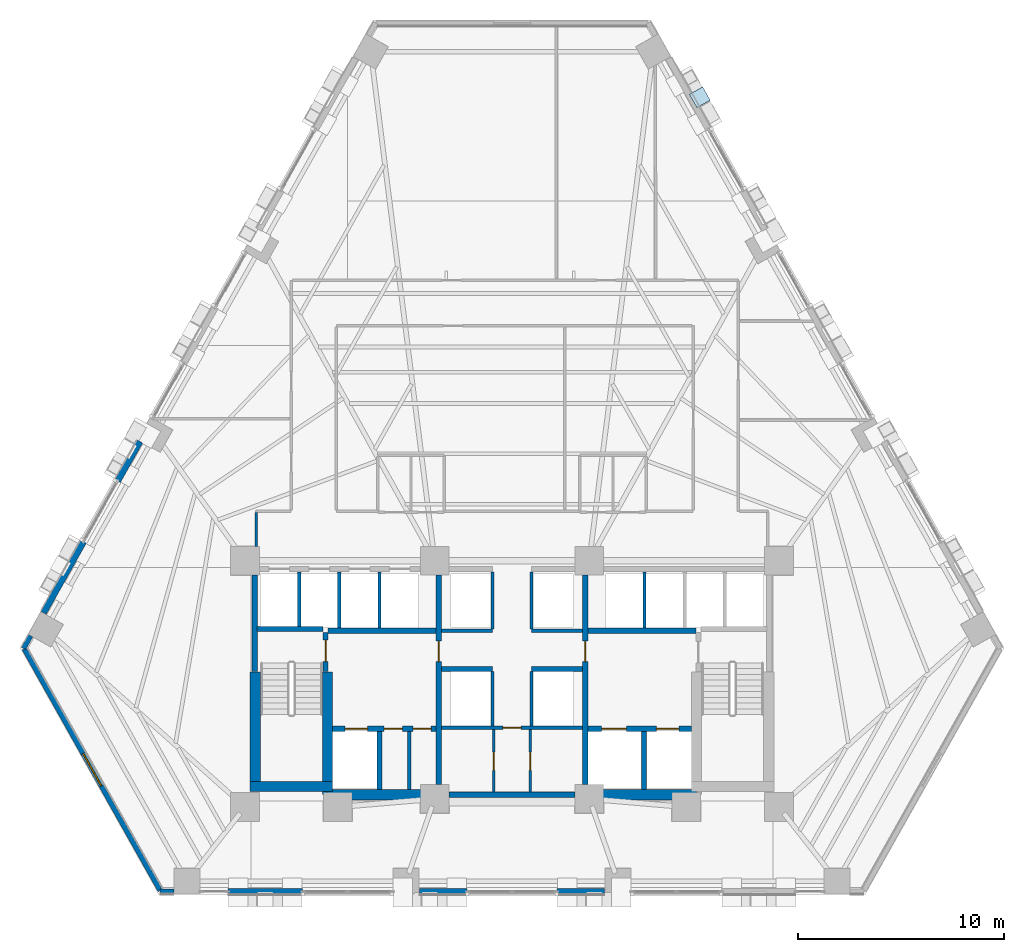
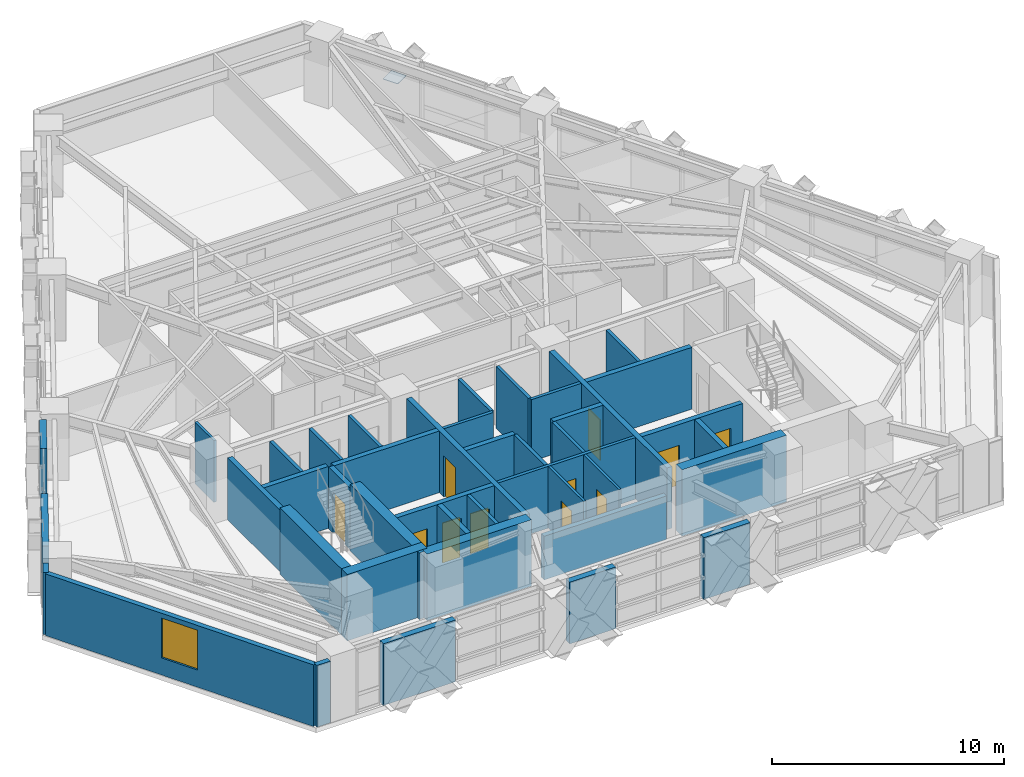
# One storey, part 7 of 13: 42 walls, 11 doors, 1 plate, 1 window, 12 openings.
"""IFC4 building model written with IfcOpenShell, lengths in metres."""

from ifc_helpers import new_model, si_unit, direction, frame, frame_2d, origin, origin_2d, place, context, subcontext, project, spatial, rectangle, extrude, material, layer, layer_set, type_object, element, fill, save


model = new_model("IFC4")

# Units and contexts
model_context = context("Model", 3, precision=1e-05, world=origin(), true_north=direction((0.0, 1.0)))
body_context = subcontext(model_context, "Body", "Model", "MODEL_VIEW")
ifc_project = project(units=[si_unit("LENGTHUNIT", "METRE"), si_unit("AREAUNIT", "SQUARE_METRE"), si_unit("VOLUMEUNIT", "CUBIC_METRE"), si_unit("PLANEANGLEUNIT", "RADIAN"), si_unit("MASSUNIT", "GRAM", prefix="KILO")], contexts=[model_context])

# Site, building, storey
site_placement = place(None, origin())
site = spatial("IfcSite", under=ifc_project, at=site_placement, CompositionType="ELEMENT")
building_placement = place(site_placement, origin())
building = spatial("IfcBuilding", under=site, at=building_placement, Name="Quenlor Broadcast Tower", CompositionType="ELEMENT")
storey_placement = place(building_placement, frame((0.0, 0.0, 52.10009765625)))
storey = spatial("IfcBuildingStorey", under=building, at=storey_placement, Name="L13", CompositionType="ELEMENT", Elevation=52.10009765625)

# Plate
ifc_material_1 = material(Name="Steel S355", Category="steel")
ifc_layer_1 = layer(ifc_material_1, 0.028076171875)
ifc_layer_set_1 = layer_set([ifc_layer_1], Name="Perimeter Lattice Node Steel S355 Cap Plate 740x740x28")
plate_type = type_object("IfcPlateType", Name="Perimeter Lattice Node Steel S355 Cap Plate 740x740x28", PredefinedType="USERDEFINED", material=ifc_layer_set_1)
plate_placement = place(storey_placement, frame((9.111083984375, 17.681640625, 1.61572265625), z_axis=(0.0, 0.0, 1.0), x_axis=(0.490295412055, -0.871556314255, 0.0)))
element("IfcPlate", 1, at=plate_placement, inside=storey, type_object=plate_type, Name="L13 Diamond Lattice Crossing Node NE-C1", ObjectType="CAP PLATE", PredefinedType="USERDEFINED", context=body_context, shape_type="SweptSolid", body=[
    extrude(rectangle(XDim=0.739990234375, YDim=0.739990234375, at=origin_2d()), origin(), (0.0, 0.0, 1.0), 0.028076171875),
])

# Walls
ifc_material_2 = material(Name="Concrete C65/80", Category="concrete")
ifc_layer_2 = layer(ifc_material_2, 0.5)
ifc_layer_set_2 = layer_set([ifc_layer_2], Name="Core Concrete C65/80 Shear Wall 500")
wall_type_1 = type_object("IfcWallType", Name="Core Concrete C65/80 Shear Wall 500", PredefinedType="SHEAR", material=ifc_layer_set_2)
wall_1_placement = place(storey_placement, frame((-12.699951171875, -15.75, 0.0), z_axis=(0.0, 0.0, 1.0), x_axis=(1.0, 0.0, 0.0)))
element("IfcWall", 2, at=wall_1_placement, inside=storey, type_object=wall_type_1, Name="L13 Core Shear Wall WS-W1", PredefinedType="SHEAR", context=body_context, shape_type="SweptSolid", body=[
    extrude(rectangle(XDim=4.0, YDim=0.5, at=frame_2d((2.0, 0.0))), origin(), (0.0, 0.0, 1.0), 3.5),
])
for number, where, z_axis, x_axis, name in (
    (3, (-8.949951171875, -16.14990234375, 0.0), (0.0, 0.0, 1.0), (1.0, 0.0, 0.0), "L13 Core Shear Wall WS-W2"),
    (4, (3.75, -16.14990234375, 0.0), (0.0, 0.0, 1.0), (1.0, 0.0, 0.0), "L13 Core Shear Wall WS-E1"),
):
    element("IfcWall", number, at=place(storey_placement, frame(where, z_axis=z_axis, x_axis=x_axis)), inside=storey, type_object=wall_type_1, Name=name, PredefinedType="SHEAR", context=body_context, shape_type="SweptSolid", body=[
        extrude(rectangle(XDim=5.199951171875, YDim=0.5, at=frame_2d((2.60009765625, 0.0))), origin(), (0.0, 0.0, 1.0), 3.5),
    ])
wall_2_placement = place(storey_placement, frame((-12.449951171875, -15.75, 0.0), z_axis=(0.0, 0.0, 1.0), x_axis=(0.0, 1.0, 0.0)))
element("IfcWall", 5, at=wall_2_placement, inside=storey, type_object=wall_type_1, Name="L13 Core Shear Wall WF-W", PredefinedType="SHEAR", context=body_context, shape_type="SweptSolid", body=[
    extrude(rectangle(XDim=5.550048828125, YDim=0.5, at=frame_2d((2.77490234375, 0.0))), origin(), (0.0, 0.0, 1.0), 3.5),
])
wall_3_placement = place(storey_placement, frame((-8.949951171875, -16.14990234375, 0.0), z_axis=(0.0, 0.0, 1.0), x_axis=(0.0, 1.0, 0.0)))
element("IfcWall", 6, at=wall_3_placement, inside=storey, type_object=wall_type_1, Name="L13 Core Shear Wall WI-W", PredefinedType="SHEAR", context=body_context, shape_type="SweptSolid", body=[
    extrude(rectangle(XDim=5.949951171875, YDim=0.5, at=frame_2d((2.97509765625, 0.0))), origin(), (0.0, 0.0, 1.0), 3.5),
])

# Wall, opening, door
ifc_material_3 = material(Name="Concrete C40/50", Category="concrete")
ifc_layer_3 = layer(ifc_material_3, 0.25)
ifc_layer_set_3 = layer_set([ifc_layer_3], Name="Fire Rated Concrete C40/50 Core Wall 250")
wall_type_2 = type_object("IfcWallType", Name="Fire Rated Concrete C40/50 Core Wall 250", PredefinedType="PARTITIONING", material=ifc_layer_set_3)
wall_4_placement = place(storey_placement, frame((-9.0400390625, -10.179931640625, 0.0), z_axis=(0.0, 0.0, 1.0), x_axis=(0.0, 1.0, 0.0)))
wall_4 = element("IfcWall", 7, at=wall_4_placement, inside=storey, type_object=wall_type_2, Name="L13 Interior Wall CW-ST1-DR", PredefinedType="PARTITIONING", context=body_context, shape_type="SweptSolid", body=[
    extrude(rectangle(XDim=1.89990234375, YDim=0.25, at=frame_2d((0.949951171875, 0.0))), origin(), (0.0, 0.0, 1.0), 3.25),
])
opening_1_placement = place(wall_4_placement, frame((0.47998046875, 0.0, 0.0)))
opening_1 = element("IfcOpeningElement", 8, at=opening_1_placement, cuts=wall_4, Name="Opening FD-1", PredefinedType="OPENING", context=body_context, shape_type="SweptSolid", body=[
    extrude(rectangle(XDim=1.050048828125, YDim=2.14990234375, at=frame_2d((0.52490234375, 1.074951171875))), frame((0.0, 0.135009765625, 0.0), z_axis=(0.0, -1.0, 0.0), x_axis=(1.0, 0.0, 0.0)), (0.0, 0.0, 1.0), 0.27001953125),
])
ifc_material_4 = material(Name="Fire Rated Steel Door Leaf", Category="steel")
door_type_1 = type_object("IfcDoorType", Name="Fire Isolated Stair Door 1050x2150", OperationType="NOTDEFINED", PredefinedType="DOOR", material=ifc_material_4)
door_1_placement = place(opening_1_placement, origin())
door_1 = element("IfcDoor", 9, at=door_1_placement, inside=storey, type_object=door_type_1, Name="L13 Door DR-ST1", OperationType="SINGLE_SWING_LEFT", OverallHeight=2.14990234375, OverallWidth=1.050048828125, PredefinedType="DOOR", context=body_context, shape_type="SweptSolid", body=[
    extrude(rectangle(XDim=1.050048828125, YDim=2.14990234375, at=frame_2d((0.52490234375, 1.074951171875))), frame((0.0, 0.02490234375, 0.0), z_axis=(0.0, -1.0, 0.0), x_axis=(1.0, 0.0, 0.0)), (0.0, 0.0, 1.0), 0.050048828125),
])
fill(opening_1, door_1)

# Walls
wall_5_placement = place(storey_placement, frame((-12.3798828125, -8.1201171875, 0.0), z_axis=(0.0, 0.0, 1.0), x_axis=(1.0, 0.0, 0.0)))
element("IfcWall", 10, at=wall_5_placement, inside=storey, type_object=wall_type_2, Name="L13 Interior Wall CW-ST1-N", PredefinedType="PARTITIONING", context=body_context, shape_type="SweptSolid", body=[
    extrude(rectangle(XDim=3.219970703125, YDim=0.25, at=frame_2d((1.60986328125, 0.0))), origin(), (0.0, 0.0, 1.0), 3.25),
])
wall_6_placement = place(storey_placement, frame((-12.47998046875, -10.179931640625, 0.0), z_axis=(0.0, 0.0, 1.0), x_axis=(0.0, 1.0, 0.0)))
element("IfcWall", 11, at=wall_6_placement, inside=storey, type_object=wall_type_2, Name="L13 Interior Wall CW-ST1-W2", PredefinedType="PARTITIONING", context=body_context, shape_type="SweptSolid", body=[
    extrude(rectangle(XDim=4.677978515625, YDim=0.25, at=frame_2d((2.3388671875, 0.0))), origin(), (0.0, 0.0, 1.0), 3.25),
])

# Wall, openings, doors
wall_7_placement = place(storey_placement, frame((-8.697998046875, -12.949951171875, 0.0), z_axis=(0.0, 0.0, 1.0), x_axis=(1.0, 0.0, 0.0)))
wall_7 = element("IfcWall", 12, at=wall_7_placement, inside=storey, type_object=wall_type_2, Name="L13 Interior Wall CW-FFW-S", PredefinedType="PARTITIONING", context=body_context, shape_type="SweptSolid", body=[
    extrude(rectangle(XDim=5.01806640625, YDim=0.25, at=frame_2d((2.509033203125, 0.0))), origin(), (0.0, 0.0, 1.0), 3.25),
])
opening_2_placement = place(wall_7_placement, frame((0.597900390625, 0.0, 0.0)))
opening_2 = element("IfcOpeningElement", 13, at=opening_2_placement, cuts=wall_7, Name="Opening LD-FFL-1", PredefinedType="OPENING", context=body_context, shape_type="SweptSolid", body=[
    extrude(rectangle(XDim=1.10009765625, YDim=2.14990234375, at=frame_2d((0.550048828125, 1.074951171875))), frame((0.0, 0.135009765625, 0.0), z_axis=(0.0, -1.0, 0.0), x_axis=(1.0, 0.0, 0.0)), (0.0, 0.0, 1.0), 0.27001953125),
])
opening_3_placement = place(wall_7_placement, frame((2.498046875, 0.0, 0.0)))
opening_3 = element("IfcOpeningElement", 14, at=opening_3_placement, cuts=wall_7, Name="Opening TD-1", PredefinedType="OPENING", context=body_context, shape_type="SweptSolid", body=[
    extrude(rectangle(XDim=0.8798828125, YDim=2.10009765625, at=frame_2d((0.43994140625, 1.050048828125))), frame((0.0, 0.135009765625, 0.0), z_axis=(0.0, -1.0, 0.0), x_axis=(1.0, 0.0, 0.0)), (0.0, 0.0, 1.0), 0.27001953125),
])
opening_4_placement = place(wall_7_placement, frame((3.89794921875, 0.0, 0.0)))
opening_4 = element("IfcOpeningElement", 15, at=opening_4_placement, cuts=wall_7, Name="Opening TD-1", PredefinedType="OPENING", context=body_context, shape_type="SweptSolid", body=[
    extrude(rectangle(XDim=0.8798828125, YDim=2.10009765625, at=frame_2d((0.43994140625, 1.050048828125))), frame((0.0, 0.135009765625, 0.0), z_axis=(0.0, -1.0, 0.0), x_axis=(1.0, 0.0, 0.0)), (0.0, 0.0, 1.0), 0.27001953125),
])
ifc_material_5 = material(Name="Brushed Stainless Steel", Category="steel")
door_type_2 = type_object("IfcDoorType", Name="Emergency Lift Sliding Landing Door 1100x2150", OperationType="NOTDEFINED", PredefinedType="DOOR", material=ifc_material_5)
door_2_placement = place(opening_2_placement, origin())
door_2 = element("IfcDoor", 16, at=door_2_placement, inside=storey, type_object=door_type_2, Name="L13 Door LD-FFL-1", OperationType="SLIDING_TO_LEFT", OverallHeight=2.14990234375, OverallWidth=1.10009765625, PredefinedType="DOOR", context=body_context, shape_type="SweptSolid", body=[
    extrude(rectangle(XDim=1.10009765625, YDim=2.14990234375, at=frame_2d((0.550048828125, 1.074951171875))), frame((0.0, 0.02490234375, 0.0), z_axis=(0.0, -1.0, 0.0), x_axis=(1.0, 0.0, 0.0)), (0.0, 0.0, 1.0), 0.050048828125),
])
fill(opening_2, door_2)
ifc_material_6 = material(Name="Fire Rated Steel Access Panel", Category="steel")
door_type_3 = type_object("IfcDoorType", Name="Riser Shaft Rated Access Trapdoor 880x2100", OperationType="NOTDEFINED", PredefinedType="TRAPDOOR", material=ifc_material_6)
door_3_placement = place(opening_3_placement, origin())
door_3 = element("IfcDoor", 17, at=door_3_placement, inside=storey, type_object=door_type_3, Name="L13 Door DR-ELR", OperationType="SINGLE_SWING_LEFT", OverallHeight=2.10009765625, OverallWidth=0.8798828125, PredefinedType="TRAPDOOR", context=body_context, shape_type="SweptSolid", body=[
    extrude(rectangle(XDim=0.8798828125, YDim=2.10009765625, at=frame_2d((0.43994140625, 1.050048828125))), frame((0.0, 0.02490234375, 0.0), z_axis=(0.0, -1.0, 0.0), x_axis=(1.0, 0.0, 0.0)), (0.0, 0.0, 1.0), 0.050048828125),
])
fill(opening_3, door_3)
door_4_placement = place(opening_4_placement, origin())
door_4 = element("IfcDoor", 18, at=door_4_placement, inside=storey, type_object=door_type_3, Name="L13 Door DR-CMR", OperationType="SINGLE_SWING_RIGHT", OverallHeight=2.10009765625, OverallWidth=0.8798828125, PredefinedType="TRAPDOOR", context=body_context, shape_type="SweptSolid", body=[
    extrude(rectangle(XDim=0.8798828125, YDim=2.10009765625, at=frame_2d((0.43994140625, 1.050048828125))), frame((0.0, 0.02490234375, 0.0), z_axis=(0.0, -1.0, 0.0), x_axis=(1.0, 0.0, 0.0)), (0.0, 0.0, 1.0), 0.050048828125),
])
fill(opening_4, door_4)

wall_8_placement = place(storey_placement, frame((3.679931640625, -12.949951171875, 0.0), z_axis=(0.0, 0.0, 1.0), x_axis=(1.0, 0.0, 0.0)))
wall_8 = element("IfcWall", 19, at=wall_8_placement, inside=storey, type_object=wall_type_2, Name="L13 Interior Wall CW-FFE-S", PredefinedType="PARTITIONING", context=body_context, shape_type="SweptSolid", body=[
    extrude(rectangle(XDim=5.01806640625, YDim=0.25, at=frame_2d((2.509033203125, 0.0))), origin(), (0.0, 0.0, 1.0), 3.25),
])
opening_5_placement = place(wall_8_placement, frame((3.320068359375, 0.0, 0.0)))
opening_5 = element("IfcOpeningElement", 20, at=opening_5_placement, cuts=wall_8, Name="Opening LD-FFL-2", PredefinedType="OPENING", context=body_context, shape_type="SweptSolid", body=[
    extrude(rectangle(XDim=1.10009765625, YDim=2.14990234375, at=frame_2d((0.550048828125, 1.074951171875))), frame((0.0, 0.135009765625, 0.0), z_axis=(0.0, -1.0, 0.0), x_axis=(1.0, 0.0, 0.0)), (0.0, 0.0, 1.0), 0.27001953125),
])
opening_6_placement = place(wall_8_placement, frame((0.669921875, 0.0, 0.0)))
opening_6 = element("IfcOpeningElement", 21, at=opening_6_placement, cuts=wall_8, Name="Opening LD-SVL-1", PredefinedType="OPENING", context=body_context, shape_type="SweptSolid", body=[
    extrude(rectangle(XDim=1.199951171875, YDim=2.14990234375, at=frame_2d((0.60009765625, 1.074951171875))), frame((0.0, 0.135009765625, 0.0), z_axis=(0.0, -1.0, 0.0), x_axis=(1.0, 0.0, 0.0)), (0.0, 0.0, 1.0), 0.27001953125),
])
door_5_placement = place(opening_5_placement, origin())
door_5 = element("IfcDoor", 22, at=door_5_placement, inside=storey, type_object=door_type_2, Name="L13 Door LD-FFL-2", OperationType="SLIDING_TO_RIGHT", OverallHeight=2.14990234375, OverallWidth=1.10009765625, PredefinedType="DOOR", context=body_context, shape_type="SweptSolid", body=[
    extrude(rectangle(XDim=1.10009765625, YDim=2.14990234375, at=frame_2d((0.550048828125, 1.074951171875))), frame((0.0, 0.02490234375, 0.0), z_axis=(0.0, -1.0, 0.0), x_axis=(1.0, 0.0, 0.0)), (0.0, 0.0, 1.0), 0.050048828125),
])
fill(opening_5, door_5)
ifc_material_7 = material(Name="Brushed Stainless Steel", Category="steel")
door_type_4 = type_object("IfcDoorType", Name="Goods Lift Sliding Landing Door 1200x2150", OperationType="NOTDEFINED", PredefinedType="DOOR", material=ifc_material_7)
door_6_placement = place(opening_6_placement, origin())
door_6 = element("IfcDoor", 23, at=door_6_placement, inside=storey, type_object=door_type_4, Name="L13 Door LD-SVL-1", OperationType="SLIDING_TO_LEFT", OverallHeight=2.14990234375, OverallWidth=1.199951171875, PredefinedType="DOOR", context=body_context, shape_type="SweptSolid", body=[
    extrude(rectangle(XDim=1.199951171875, YDim=2.14990234375, at=frame_2d((0.60009765625, 1.074951171875))), frame((0.0, 0.02490234375, 0.0), z_axis=(0.0, -1.0, 0.0), x_axis=(1.0, 0.0, 0.0)), (0.0, 0.0, 1.0), 0.050048828125),
])
fill(opening_6, door_6)

# Walls
for number, where, z_axis, x_axis, name in (
    (24, (-6.419921875, -15.89794921875, 0.0), (0.0, 0.0, 1.0), (0.0, 1.0, 0.0), "L13 Interior Wall CW-FF1-E"),
    (25, (6.39990234375, -15.89794921875, 0.0), (0.0, 0.0, 1.0), (0.0, 1.0, 0.0), "L13 Interior Wall CW-SV1-E"),
):
    element("IfcWall", number, at=place(storey_placement, frame(where, z_axis=z_axis, x_axis=x_axis)), inside=storey, type_object=wall_type_2, Name=name, PredefinedType="PARTITIONING", context=body_context, shape_type="SweptSolid", body=[
        extrude(rectangle(XDim=2.807861328125, YDim=0.25, at=frame_2d((1.40380859375, 0.0))), origin(), (0.0, 0.0, 1.0), 3.25),
    ])
for number, where, z_axis, x_axis, name in (
    (26, (-8.919921875, -8.199951171875, 0.0), (0.0, 0.0, 1.0), (1.0, 0.0, 0.0), "L13 Interior Wall CW-FFW-N"),
    (27, (3.679931640625, -8.199951171875, 0.0), (0.0, 0.0, 1.0), (1.0, 0.0, 0.0), "L13 Interior Wall CW-FFE-N"),
):
    element("IfcWall", number, at=place(storey_placement, frame(where, z_axis=z_axis, x_axis=x_axis)), inside=storey, type_object=wall_type_2, Name=name, PredefinedType="PARTITIONING", context=body_context, shape_type="SweptSolid", body=[
        extrude(rectangle(XDim=5.239990234375, YDim=0.25, at=frame_2d((2.6201171875, 0.0))), origin(), (0.0, 0.0, 1.0), 3.25),
    ])

# Wall, opening, door
wall_9_placement = place(storey_placement, frame((-3.550048828125, -15.64794921875, 0.0), z_axis=(0.0, 0.0, 1.0), x_axis=(0.0, 1.0, 0.0)))
wall_9 = element("IfcWall", 28, at=wall_9_placement, inside=storey, type_object=wall_type_2, Name="L13 Interior Wall CW-FFW-E", PredefinedType="PARTITIONING", context=body_context, shape_type="SweptSolid", body=[
    extrude(rectangle(XDim=10.14599609375, YDim=0.25, at=frame_2d((5.072998046875, 0.0))), origin(), (0.0, 0.0, 1.0), 3.25),
])
opening_7_placement = place(wall_9_placement, frame((5.947998046875, 0.0, 0.0)))
opening_7 = element("IfcOpeningElement", 29, at=opening_7_placement, cuts=wall_9, Name="Opening FD-2", PredefinedType="OPENING", context=body_context, shape_type="SweptSolid", body=[
    extrude(rectangle(XDim=1.0, YDim=2.14990234375, at=frame_2d((0.5, 1.074951171875))), frame((0.0, 0.135009765625, 0.0), z_axis=(0.0, -1.0, 0.0), x_axis=(1.0, 0.0, 0.0)), (0.0, 0.0, 1.0), 0.27001953125),
])
ifc_material_8 = material(Name="Fire Rated Glazed Steel Door", Category="steel")
door_type_5 = type_object("IfcDoorType", Name="Firefighting Lobby Smoke Door 1000x2150", OperationType="NOTDEFINED", PredefinedType="DOOR", material=ifc_material_8)
door_7_placement = place(opening_7_placement, origin())
door_7 = element("IfcDoor", 30, at=door_7_placement, inside=storey, type_object=door_type_5, Name="L13 Door DR-FFLW", OperationType="SINGLE_SWING_RIGHT", OverallHeight=2.14990234375, OverallWidth=1.0, PredefinedType="DOOR", context=body_context, shape_type="SweptSolid", body=[
    extrude(rectangle(XDim=1.0, YDim=2.14990234375, at=frame_2d((0.5, 1.074951171875))), frame((0.0, 0.02490234375, 0.0), z_axis=(0.0, -1.0, 0.0), x_axis=(1.0, 0.0, 0.0)), (0.0, 0.0, 1.0), 0.050048828125),
])
fill(opening_7, door_7)

wall_10_placement = place(storey_placement, frame((3.550048828125, -15.64794921875, 0.0), z_axis=(0.0, 0.0, 1.0), x_axis=(0.0, 1.0, 0.0)))
wall_10 = element("IfcWall", 31, at=wall_10_placement, inside=storey, type_object=wall_type_2, Name="L13 Interior Wall CW-FFE-W", PredefinedType="PARTITIONING", context=body_context, shape_type="SweptSolid", body=[
    extrude(rectangle(XDim=10.14599609375, YDim=0.25, at=frame_2d((5.072998046875, 0.0))), origin(), (0.0, 0.0, 1.0), 3.25),
])
opening_8_placement = place(wall_10_placement, frame((5.947998046875, 0.0, 0.0)))
opening_8 = element("IfcOpeningElement", 32, at=opening_8_placement, cuts=wall_10, Name="Opening FD-2", PredefinedType="OPENING", context=body_context, shape_type="SweptSolid", body=[
    extrude(rectangle(XDim=1.0, YDim=2.14990234375, at=frame_2d((0.5, 1.074951171875))), frame((0.0, 0.135009765625, 0.0), z_axis=(0.0, -1.0, 0.0), x_axis=(1.0, 0.0, 0.0)), (0.0, 0.0, 1.0), 0.27001953125),
])
door_8_placement = place(opening_8_placement, origin())
door_8 = element("IfcDoor", 33, at=door_8_placement, inside=storey, type_object=door_type_5, Name="L13 Door DR-FFLE", OperationType="SINGLE_SWING_LEFT", OverallHeight=2.14990234375, OverallWidth=1.0, PredefinedType="DOOR", context=body_context, shape_type="SweptSolid", body=[
    extrude(rectangle(XDim=1.0, YDim=2.14990234375, at=frame_2d((0.5, 1.074951171875))), frame((0.0, 0.02490234375, 0.0), z_axis=(0.0, -1.0, 0.0), x_axis=(1.0, 0.0, 0.0)), (0.0, 0.0, 1.0), 0.050048828125),
])
fill(opening_8, door_8)

# Walls
wall_11_placement = place(storey_placement, frame((-3.048095703125, -16.14990234375, 0.0), z_axis=(0.0, 0.0, 1.0), x_axis=(1.0, 0.0, 0.0)))
element("IfcWall", 34, at=wall_11_placement, inside=storey, type_object=wall_type_2, Name="L13 Interior Wall CW-MS-S", PredefinedType="PARTITIONING", context=body_context, shape_type="SweptSolid", body=[
    extrude(rectangle(XDim=6.09619140625, YDim=0.25, at=frame_2d((3.048095703125, 0.0))), origin(), (0.0, 0.0, 1.0), 2.2998046875),
])
for number, where, z_axis, x_axis, name in (
    (35, (-3.419921875, -10.050048828125, 0.0), (0.0, 0.0, 1.0), (1.0, 0.0, 0.0), "L13 Interior Wall CW-MS-N1"),
    (36, (0.949951171875, -10.050048828125, 0.0), (0.0, 0.0, 1.0), (1.0, 0.0, 0.0), "L13 Interior Wall CW-MS-N2"),
):
    element("IfcWall", number, at=place(storey_placement, frame(where, z_axis=z_axis, x_axis=x_axis)), inside=storey, type_object=wall_type_2, Name=name, PredefinedType="PARTITIONING", context=body_context, shape_type="SweptSolid", body=[
        extrude(rectangle(XDim=2.469970703125, YDim=0.25, at=frame_2d((1.23486328125, 0.0))), origin(), (0.0, 0.0, 1.0), 3.25),
    ])
ifc_material_9 = material(Name="Gypsum Fireboard Partition", Category="other")
ifc_layer_4 = layer(ifc_material_9, 0.159912109375)
ifc_layer_set_4 = layer_set([ifc_layer_4], Name="Fire Rated Shaft and Corridor Partition 160")
wall_type_3 = type_object("IfcWallType", Name="Fire Rated Shaft and Corridor Partition 160", PredefinedType="PARTITIONING", material=ifc_layer_set_4)
wall_12_placement = place(storey_placement, frame((-4.97998046875, -15.89794921875, 0.0), z_axis=(0.0, 0.0, 1.0), x_axis=(0.0, 1.0, 0.0)))
element("IfcWall", 37, at=wall_12_placement, inside=storey, type_object=wall_type_3, Name="L13 Interior Wall CW-ELR-E", PredefinedType="PARTITIONING", context=body_context, shape_type="SweptSolid", body=[
    extrude(rectangle(XDim=2.807861328125, YDim=0.159912109375, at=frame_2d((1.40380859375, 0.0))), origin(), (0.0, 0.0, 1.0), 3.25),
])
wall_13_placement = place(storey_placement, frame((-10.324951171875, -7.992919921875, 0.0), z_axis=(0.0, 0.0, 1.0), x_axis=(0.0, 1.0, 0.0)))
element("IfcWall", 38, at=wall_13_placement, inside=storey, type_object=wall_type_3, Name="L13 Interior Wall CW-PLL-D1", PredefinedType="PARTITIONING", context=body_context, shape_type="SweptSolid", body=[
    extrude(rectangle(XDim=2.65283203125, YDim=0.159912109375, at=frame_2d((1.326416015625, 0.0))), origin(), (0.0, 0.0, 1.0), 3.25),
])
for number, where, z_axis, x_axis, name in (
    (39, (-8.375, -8.072998046875, 0.0), (0.0, 0.0, 1.0), (0.0, 1.0, 0.0), "L13 Interior Wall CW-PLL-D2"),
    (40, (-6.425048828125, -8.072998046875, 0.0), (0.0, 0.0, 1.0), (0.0, 1.0, 0.0), "L13 Interior Wall CW-PLL-D3"),
    (41, (6.425048828125, -8.072998046875, 0.0), (0.0, 0.0, 1.0), (0.0, 1.0, 0.0), "L13 Interior Wall CW-PLH-D1"),
):
    element("IfcWall", number, at=place(storey_placement, frame(where, z_axis=z_axis, x_axis=x_axis)), inside=storey, type_object=wall_type_3, Name=name, PredefinedType="PARTITIONING", context=body_context, shape_type="SweptSolid", body=[
        extrude(rectangle(XDim=2.73291015625, YDim=0.159912109375, at=frame_2d((1.366455078125, 0.0))), origin(), (0.0, 0.0, 1.0), 3.25),
    ])
for number, where, z_axis, x_axis, name in (
    (42, (-0.949951171875, -8.1201171875, 0.0), (0.0, 0.0, 1.0), (0.0, 1.0, 0.0), "L13 Interior Wall CW-CCRP-W"),
    (43, (0.949951171875, -8.1201171875, 0.0), (0.0, 0.0, 1.0), (0.0, 1.0, 0.0), "L13 Interior Wall CW-CCRP-E"),
):
    element("IfcWall", number, at=place(storey_placement, frame(where, z_axis=z_axis, x_axis=x_axis)), inside=storey, type_object=wall_type_3, Name=name, PredefinedType="PARTITIONING", context=body_context, shape_type="SweptSolid", body=[
        extrude(rectangle(XDim=2.780029296875, YDim=0.159912109375, at=frame_2d((1.39013671875, 0.0))), origin(), (0.0, 0.0, 1.0), 3.25),
    ])
for number, where, z_axis, x_axis, name in (
    (44, (-3.419921875, -8.199951171875, 0.0), (0.0, 0.0, 1.0), (1.0, 0.0, 0.0), "L13 Interior Wall CW-M-BACK1"),
    (45, (0.949951171875, -8.199951171875, 0.0), (0.0, 0.0, 1.0), (1.0, 0.0, 0.0), "L13 Interior Wall CW-M-BACK2"),
):
    element("IfcWall", number, at=place(storey_placement, frame(where, z_axis=z_axis, x_axis=x_axis)), inside=storey, type_object=wall_type_3, Name=name, PredefinedType="PARTITIONING", context=body_context, shape_type="SweptSolid", body=[
        extrude(rectangle(XDim=2.469970703125, YDim=0.159912109375, at=frame_2d((1.23486328125, 0.0))), origin(), (0.0, 0.0, 1.0), 3.25),
    ])

# Wall, opening, door
wall_14_placement = place(storey_placement, frame((-3.419921875, -12.89990234375, 0.0), z_axis=(0.0, 0.0, 1.0), x_axis=(1.0, 0.0, 0.0)))
wall_14 = element("IfcWall", 46, at=wall_14_placement, inside=storey, type_object=wall_type_3, Name="L13 Interior Wall CW-MS-B", PredefinedType="PARTITIONING", context=body_context, shape_type="SweptSolid", body=[
    extrude(rectangle(XDim=6.83984375, YDim=0.159912109375, at=frame_2d((3.419921875, 0.0))), origin(), (0.0, 0.0, 1.0), 3.25),
])
opening_9_placement = place(wall_14_placement, frame((2.97998046875, 0.0, 0.0)))
opening_9 = element("IfcOpeningElement", 47, at=opening_9_placement, cuts=wall_14, Name="Opening ID-4", PredefinedType="OPENING", context=body_context, shape_type="SweptSolid", body=[
    extrude(rectangle(XDim=0.8798828125, YDim=2.1201171875, at=frame_2d((0.43994140625, 1.06005859375))), frame((0.0, 0.08984375, 0.0), z_axis=(0.0, -1.0, 0.0), x_axis=(1.0, 0.0, 0.0)), (0.0, 0.0, 1.0), 0.179931640625),
])
ifc_material_10 = material(Name="Solid Core Timber Oak", Category="wood")
door_type_6 = type_object("IfcDoorType", Name="Service Closet Timber Door 880x2120", OperationType="NOTDEFINED", PredefinedType="DOOR", material=ifc_material_10)
door_9_placement = place(opening_9_placement, origin())
door_9 = element("IfcDoor", 48, at=door_9_placement, inside=storey, type_object=door_type_6, Name="L13 Door DR-CSV0", OperationType="SINGLE_SWING_LEFT", OverallHeight=2.1201171875, OverallWidth=0.8798828125, PredefinedType="DOOR", context=body_context, shape_type="SweptSolid", body=[
    extrude(rectangle(XDim=0.8798828125, YDim=2.1201171875, at=frame_2d((0.43994140625, 1.06005859375))), frame((0.0, 0.02490234375, 0.0), z_axis=(0.0, -1.0, 0.0), x_axis=(1.0, 0.0, 0.0)), (0.0, 0.0, 1.0), 0.050048828125),
])
fill(opening_9, door_9)

# Walls
for number, where, z_axis, x_axis, name in (
    (49, (-0.949951171875, -12.818115234375, 0.0), (0.0, 0.0, 1.0), (0.0, 1.0, 0.0), "L13 Interior Wall CW-MS-W"),
    (50, (0.949951171875, -12.818115234375, 0.0), (0.0, 0.0, 1.0), (0.0, 1.0, 0.0), "L13 Interior Wall CW-MS-E"),
):
    element("IfcWall", number, at=place(storey_placement, frame(where, z_axis=z_axis, x_axis=x_axis)), inside=storey, type_object=wall_type_3, Name=name, PredefinedType="PARTITIONING", context=body_context, shape_type="SweptSolid", body=[
        extrude(rectangle(XDim=2.63818359375, YDim=0.159912109375, at=frame_2d((1.319091796875, 0.0))), origin(), (0.0, 0.0, 1.0), 3.25),
    ])

# Wall, opening, door
ifc_material_11 = material(Name="Gypsum Plasterboard Partition", Category="other")
ifc_layer_5 = layer(ifc_material_11, 0.1201171875)
ifc_layer_set_5 = layer_set([ifc_layer_5], Name="Standard Office Partition 120")
wall_type_4 = type_object("IfcWallType", Name="Standard Office Partition 120", PredefinedType="PARTITIONING", material=ifc_layer_set_5)
wall_15_placement = place(storey_placement, frame((-0.8798828125, -16.02001953125, 0.0), z_axis=(0.0, 0.0, 1.0), x_axis=(0.0, 1.0, 0.0)))
wall_15 = element("IfcWall", 51, at=wall_15_placement, inside=storey, type_object=wall_type_4, Name="L13 Interior Wall CW-CSV-W3", PredefinedType="PARTITIONING", context=body_context, shape_type="SweptSolid", body=[
    extrude(rectangle(XDim=3.0380859375, YDim=0.1201171875, at=frame_2d((1.51904296875, 0.0))), origin(), (0.0, 0.0, 1.0), 3.25),
])
opening_10_placement = place(wall_15_placement, frame((1.050048828125, 0.0, 0.0)))
opening_10 = element("IfcOpeningElement", 52, at=opening_10_placement, cuts=wall_15, Name="Opening ID-4", PredefinedType="OPENING", context=body_context, shape_type="SweptSolid", body=[
    extrude(rectangle(XDim=0.8798828125, YDim=2.1201171875, at=frame_2d((0.43994140625, 1.06005859375))), frame((0.0, 0.070068359375, 0.0), z_axis=(0.0, -1.0, 0.0), x_axis=(1.0, 0.0, 0.0)), (0.0, 0.0, 1.0), 0.14013671875),
])
door_10_placement = place(opening_10_placement, origin())
door_10 = element("IfcDoor", 53, at=door_10_placement, inside=storey, type_object=door_type_6, Name="L13 Door DR-CSV1", OperationType="SINGLE_SWING_LEFT", OverallHeight=2.1201171875, OverallWidth=0.8798828125, PredefinedType="DOOR", context=body_context, shape_type="SweptSolid", body=[
    extrude(rectangle(XDim=0.8798828125, YDim=2.1201171875, at=frame_2d((0.43994140625, 1.06005859375))), frame((0.0, 0.02490234375, 0.0), z_axis=(0.0, -1.0, 0.0), x_axis=(1.0, 0.0, 0.0)), (0.0, 0.0, 1.0), 0.050048828125),
])
fill(opening_10, door_10)

wall_16_placement = place(storey_placement, frame((0.8798828125, -16.02001953125, 0.0), z_axis=(0.0, 0.0, 1.0), x_axis=(0.0, 1.0, 0.0)))
wall_16 = element("IfcWall", 54, at=wall_16_placement, inside=storey, type_object=wall_type_4, Name="L13 Interior Wall CW-CSV-E3", PredefinedType="PARTITIONING", context=body_context, shape_type="SweptSolid", body=[
    extrude(rectangle(XDim=3.0380859375, YDim=0.1201171875, at=frame_2d((1.51904296875, 0.0))), origin(), (0.0, 0.0, 1.0), 3.25),
])
opening_11_placement = place(wall_16_placement, frame((1.050048828125, 0.0, 0.0)))
opening_11 = element("IfcOpeningElement", 55, at=opening_11_placement, cuts=wall_16, Name="Opening ID-4", PredefinedType="OPENING", context=body_context, shape_type="SweptSolid", body=[
    extrude(rectangle(XDim=0.8798828125, YDim=2.1201171875, at=frame_2d((0.43994140625, 1.06005859375))), frame((0.0, 0.070068359375, 0.0), z_axis=(0.0, -1.0, 0.0), x_axis=(1.0, 0.0, 0.0)), (0.0, 0.0, 1.0), 0.14013671875),
])
door_11_placement = place(opening_11_placement, origin())
door_11 = element("IfcDoor", 56, at=door_11_placement, inside=storey, type_object=door_type_6, Name="L13 Door DR-CSV2", OperationType="SINGLE_SWING_RIGHT", OverallHeight=2.1201171875, OverallWidth=0.8798828125, PredefinedType="DOOR", context=body_context, shape_type="SweptSolid", body=[
    extrude(rectangle(XDim=0.8798828125, YDim=2.1201171875, at=frame_2d((0.43994140625, 1.06005859375))), frame((0.0, 0.02490234375, 0.0), z_axis=(0.0, -1.0, 0.0), x_axis=(1.0, 0.0, 0.0)), (0.0, 0.0, 1.0), 0.050048828125),
])
fill(opening_11, door_11)

# Walls
wall_17_placement = place(storey_placement, frame((-12.409912109375, -4.097900390625, 0.0), z_axis=(0.0, 0.0, 1.0), x_axis=(0.0, 1.0, 0.0)))
element("IfcWall", 57, at=wall_17_placement, inside=storey, type_object=wall_type_4, Name="L13 Interior Wall PW-CR-07", PredefinedType="PARTITIONING", context=body_context, shape_type="SweptSolid", body=[
    extrude(rectangle(XDim=1.635986328125, YDim=0.1201171875, at=frame_2d((0.81787109375, 0.0))), origin(), (0.0, 0.0, 1.0), 3.25),
])
ifc_material_12 = material(Name="Precast concrete C40/50", Category="concrete")
ifc_layer_6 = layer(ifc_material_12, 0.239990234375)
ifc_layer_set_6 = layer_set([ifc_layer_6], Name="Terrace Threshold Precast Concrete C40/50 Wall 240")
wall_type_5 = type_object("IfcWallType", Name="Terrace Threshold Precast Concrete C40/50 Wall 240", PredefinedType="STANDARD", material=ifc_layer_set_6)
wall_18_placement = place(storey_placement, frame((-16.39501953125, -20.840087890625, 0.0), z_axis=(0.0, 0.0, 1.0), x_axis=(-1.0, 0.0, 0.0)))
element("IfcWall", 58, at=wall_18_placement, inside=storey, type_object=wall_type_5, Name="L13 Exterior Wall L13-SHD-SS1", PredefinedType="STANDARD", context=body_context, shape_type="SweptSolid", body=[
    extrude(rectangle(XDim=0.680908203125, YDim=0.239990234375, at=frame_2d((0.34033203125, 0.0))), origin(), (0.0, 0.0, 1.0), 3.25),
])
wall_19_placement = place(storey_placement, frame((-23.69921875, -9.05810546875, 0.0), z_axis=(0.0, 0.0, 1.0), x_axis=(0.490523074758, 0.871428203084, 0.0)))
element("IfcWall", 59, at=wall_19_placement, inside=storey, type_object=wall_type_5, Name="L13 Exterior Wall L13-SHD-NWS0", PredefinedType="STANDARD", context=body_context, shape_type="SweptSolid", body=[
    extrude(rectangle(XDim=0.708251953125, YDim=0.239990234375, at=frame_2d((0.35400390625, 0.0))), origin(), (0.0, 0.0, 1.0), 3.25),
])

# Wall, opening, window
wall_20_placement = place(storey_placement, frame((-23.659912109375, -9.07568359375, 0.0), z_axis=(0.0, 0.0, 1.0), x_axis=(0.490268135177, -0.871571658345, 0.0)))
wall_20 = element("IfcWall", 60, at=wall_20_placement, inside=storey, type_object=wall_type_5, Name="L13 Exterior Wall L13-CNR-04", PredefinedType="STANDARD", context=body_context, shape_type="SweptSolid", body=[
    extrude(rectangle(XDim=13.44775390625, YDim=0.239990234375, at=frame_2d((6.723876953125, 0.0))), origin(), (0.0, 0.0, 1.0), 3.25),
])
opening_12_placement = place(wall_20_placement, frame((5.823974609375, 0.0, 0.89990234375)))
opening_12 = element("IfcOpeningElement", 61, at=opening_12_placement, cuts=wall_20, Name="Opening WN-1", PredefinedType="OPENING", context=body_context, shape_type="SweptSolid", body=[
    extrude(rectangle(XDim=1.800048828125, YDim=2.10009765625, at=frame_2d((0.89990234375, 1.050048828125))), frame((0.0, 0.1298828125, 0.0), z_axis=(0.0, -1.0, 0.0), x_axis=(1.0, 0.0, 0.0)), (0.0, 0.0, 1.0), 0.260009765625),
])
ifc_material_13 = material(Name="Thermally Broken Aluminium and Low-E Glass", Category="aluminium")
window_type = type_object("IfcWindowType", Name="Tower Acoustic Vision Window 1800x2100", PartitioningType="SINGLE_PANEL", PredefinedType="WINDOW", material=ifc_material_13)
window_placement = place(opening_12_placement, origin())
window = element("IfcWindow", 62, at=window_placement, inside=storey, type_object=window_type, Name="L13 Corner Chamfer Window 4", OverallHeight=2.10009765625, OverallWidth=1.800048828125, PartitioningType="SINGLE_PANEL", PredefinedType="WINDOW", context=body_context, shape_type="SweptSolid", body=[
    extrude(rectangle(XDim=1.800048828125, YDim=2.10009765625, at=frame_2d((0.89990234375, 1.050048828125))), frame((0.0, 0.030029296875, 0.0), z_axis=(0.0, -1.0, 0.0), x_axis=(1.0, 0.0, 0.0)), (0.0, 0.0, 1.0), 0.06005859375),
])
fill(opening_12, window)

# Walls
ifc_material_14 = material(Name="Precast concrete C40/50", Category="concrete")
ifc_layer_7 = layer(ifc_material_14, 0.300048828125)
ifc_layer_set_7 = layer_set([ifc_layer_7], Name="Terracotta Precast Concrete C40/50 Spandrel Wall 300")
wall_type_6 = type_object("IfcWallType", Name="Terracotta Precast Concrete C40/50 Spandrel Wall 300", PredefinedType="STANDARD", material=ifc_layer_set_7)
wall_21_placement = place(storey_placement, frame((-10.1748046875, -20.840087890625, 0.0), z_axis=(0.0, 0.0, 1.0), x_axis=(-1.0, 0.0, 0.0)))
element("IfcWall", 63, at=wall_21_placement, inside=storey, type_object=wall_type_6, Name="L13 Exterior Wall L13-SC-SP1", PredefinedType="STANDARD", context=body_context, shape_type="SweptSolid", body=[
    extrude(rectangle(XDim=3.592041015625, YDim=0.300048828125, at=frame_2d((1.7958984375, 0.0))), origin(), (0.0, 0.0, 1.0), 3.25),
])
for number, where, z_axis, x_axis, name in (
    (64, (4.495849609375, -20.840087890625, 0.0), (0.0, 0.0, 1.0), (-1.0, 0.0, 0.0), "L13 Exterior Wall L13-S-SP1"),
    (65, (-2.194091796875, -20.840087890625, 0.0), (0.0, 0.0, 1.0), (-1.0, 0.0, 0.0), "L13 Exterior Wall L13-S-SP2"),
):
    element("IfcWall", number, at=place(storey_placement, frame(where, z_axis=z_axis, x_axis=x_axis)), inside=storey, type_object=wall_type_6, Name=name, PredefinedType="STANDARD", context=body_context, shape_type="SweptSolid", body=[
        extrude(rectangle(XDim=2.3017578125, YDim=0.300048828125, at=frame_2d((1.15087890625, 0.0))), origin(), (0.0, 0.0, 1.0), 3.25),
    ])
wall_22_placement = place(storey_placement, frame((-22.724365234375, -7.3251953125, 0.0), z_axis=(0.0, 0.0, 1.0), x_axis=(0.490267098362, 0.871572241563, 0.0)))
element("IfcWall", 66, at=wall_22_placement, inside=storey, type_object=wall_type_6, Name="L13 Exterior Wall L13-NWA-SP1", PredefinedType="STANDARD", context=body_context, shape_type="SweptSolid", body=[
    extrude(rectangle(XDim=3.956787109375, YDim=0.300048828125, at=frame_2d((1.978515625, 0.0))), origin(), (0.0, 0.0, 1.0), 3.25),
])
wall_23_placement = place(storey_placement, frame((-19.126953125, -0.9296875, 0.0), z_axis=(0.0, 0.0, 1.0), x_axis=(0.490277063651, 0.871566635925, 0.0)))
element("IfcWall", 67, at=wall_23_placement, inside=storey, type_object=wall_type_6, Name="L13 Exterior Wall L13-NWA-SP2", PredefinedType="STANDARD", context=body_context, shape_type="SweptSolid", body=[
    extrude(rectangle(XDim=2.197509765625, YDim=0.300048828125, at=frame_2d((1.0986328125, 0.0))), origin(), (0.0, 0.0, 1.0), 3.25),
])

save(model, "model.ifc")
